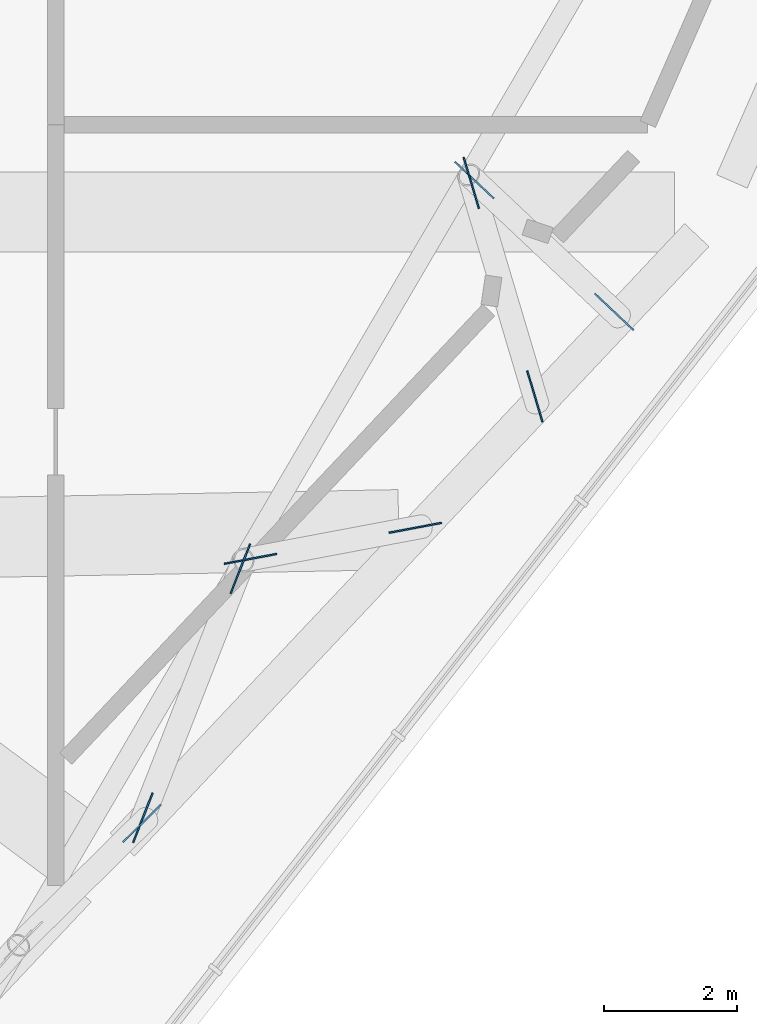
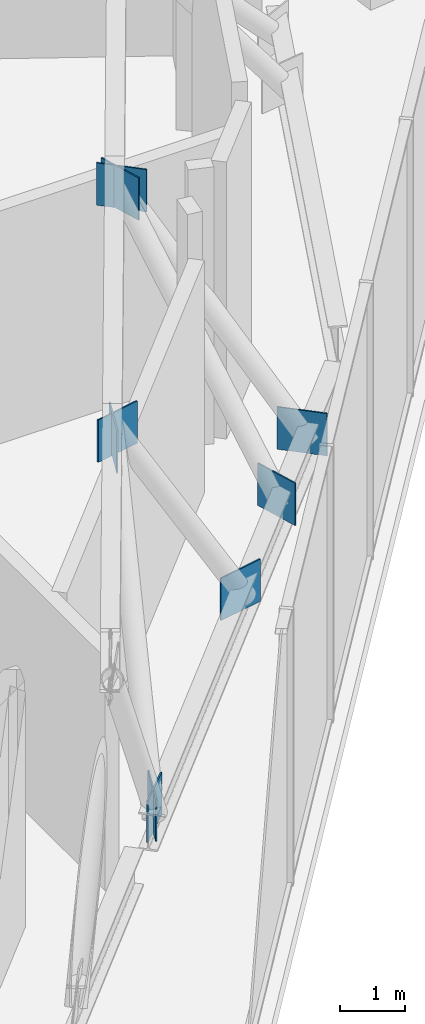
# One storey, part 18 of 23: 9 discrete accessories.
"""IFC4 building model written with IfcOpenShell, lengths in metres."""

from ifc_helpers import new_model, si_unit, direction, frame, origin, origin_2d, place, context, subcontext, project, spatial, rectangle, extrude, material, layer, layer_set, type_object, element, save


model = new_model("IFC4")

# Units and contexts
model_context = context("Model", 3, precision=1e-05, world=origin(), true_north=direction((0.0, 1.0)))
body_context = subcontext(model_context, "Body", "Model", "MODEL_VIEW")
ifc_project = project(units=[si_unit("LENGTHUNIT", "METRE"), si_unit("AREAUNIT", "SQUARE_METRE"), si_unit("VOLUMEUNIT", "CUBIC_METRE"), si_unit("PLANEANGLEUNIT", "RADIAN"), si_unit("MASSUNIT", "GRAM", prefix="KILO")], contexts=[model_context])

# Site, building, storey
site_placement = place(None, origin())
site = spatial("IfcSite", under=ifc_project, at=site_placement, CompositionType="ELEMENT")
building_placement = place(site_placement, origin())
building = spatial("IfcBuilding", under=site, at=building_placement, Name="Dilmun Exchange Tower", CompositionType="ELEMENT")
storey_placement = place(building_placement, frame((0.0, 0.0, 237.300048828125)))
storey = spatial("IfcBuildingStorey", under=building, at=storey_placement, Name="L56", CompositionType="ELEMENT", Elevation=237.300048828125)

# Discrete accessories
ifc_material = material(Name="Steel S355J2", Category="steel")
ifc_layer = layer(ifc_material, 0.02490234375)
ifc_layer_set = layer_set([ifc_layer], Name="Steel S355J2")
discrete_accessory_type = type_object("IfcDiscreteAccessoryType", Name="Gusset plate 25 x 800 x 800", PredefinedType="BRACKET", material=ifc_layer_set)
for number, where, z_axis, x_axis, name in (
    (1, (16.991455078125, -14.771728515625, 0.12109375), (0.0, 0.0, 1.0), (0.711148040659, 0.703042291947, 0.0), "Gusset plate L56-DG39 end 2"),
    (2, (18.467529296875, -10.95361328125, 4.2880859375), (0.0, 0.0, 1.0), (-0.364579390924, -0.931172308283, 0.0), "Gusset plate L56-DG41 end 1"),
    (3, (17.00634765625, -14.685791015625, 0.0947265625), (0.0, 0.0, 1.0), (-0.364579390924, -0.931172308283, 0.0), "Gusset plate L56-DG41 end 2"),
    (4, (18.6201171875, -10.805908203125, 4.26171875), (0.0, 0.0, 1.0), (0.982712461772, 0.185138373865, 0.0), "Gusset plate L56-DG42 end 1"),
    (5, (21.089111328125, -10.340576171875, 0.12109375), (0.0, 0.0, 1.0), (0.982712461772, 0.185138373865, 0.0), "Gusset plate L56-DG42 end 2"),
    (6, (21.975830078125, -5.129638671875, 4.2685546875), (0.0, 0.0, 1.0), (0.727691357971, -0.685904721907, 0.0), "Gusset plate L56-DG43 end 1"),
    (7, (24.06884765625, -7.102294921875, 0.1142578125), (0.0, 0.0, 1.0), (0.727691357971, -0.685904721907, 0.0), "Gusset plate L56-DG43 end 2"),
    (8, (21.9287109375, -5.17138671875, 4.27685546875), (0.0, 0.0, 1.0), (0.285412378473, -0.95840480707, 0.0), "Gusset plate L56-DG44 end 1"),
    (9, (22.88134765625, -8.37060546875, 0.10595703125), (0.0, 0.0, 1.0), (0.285412378473, -0.95840480707, 0.0), "Gusset plate L56-DG44 end 2"),
):
    element("IfcDiscreteAccessory", number, at=place(storey_placement, frame(where, z_axis=z_axis, x_axis=x_axis)), inside=storey, type_object=discrete_accessory_type, Name=name, PredefinedType="BRACKET", context=body_context, shape_type="SweptSolid", body=[
        extrude(rectangle(XDim=0.800048828125, YDim=0.02490234375, at=origin_2d()), origin(), (0.0, 0.0, 1.0), 0.800048828125),
    ])

save(model, "model.ifc")
